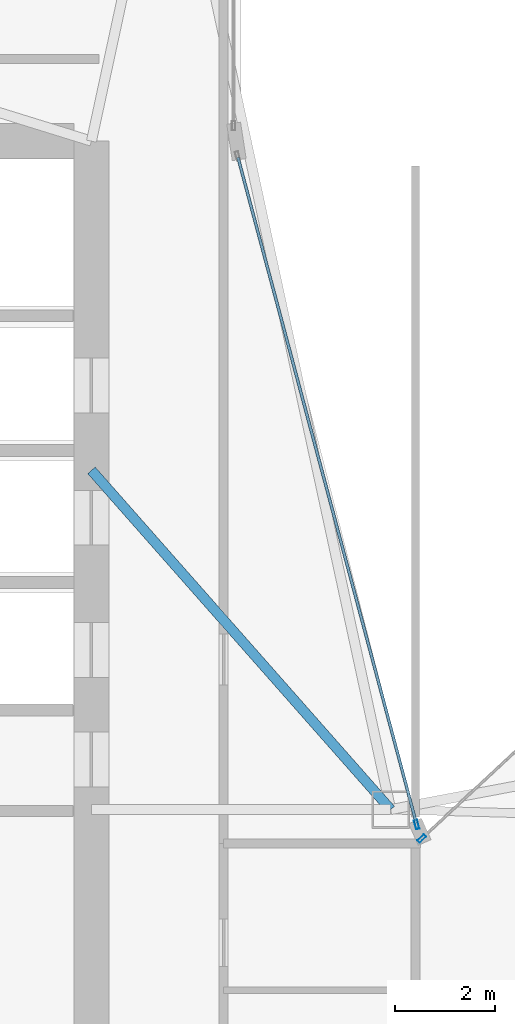
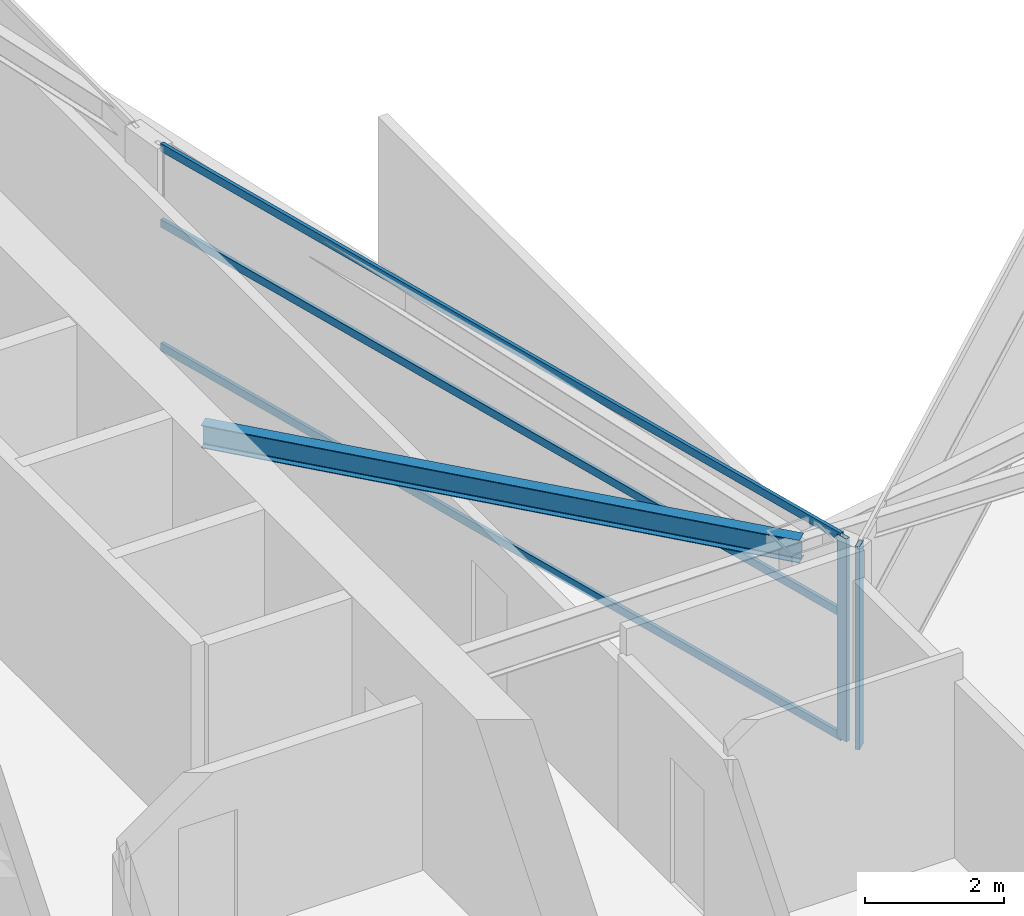
# One storey, part 10 of 28: 5 members, 1 beam, 2 elements without a shape of their own.
"""IFC4 building model written with IfcOpenShell, lengths in metres."""

from ifc_helpers import new_model, si_unit, direction, frame, origin, origin_2d, place, context, subcontext, project, spatial, hollow_rectangle, i_section, extrude, material, layer, layer_set, material_profile, profile_set, type_object, element, aggregate, save


model = new_model("IFC4")

# Units and contexts
model_context = context("Model", 3, precision=1e-05, world=origin(), true_north=direction((0.0, 1.0)))
body_context = subcontext(model_context, "Body", "Model", "MODEL_VIEW")
ifc_project = project(units=[si_unit("LENGTHUNIT", "METRE"), si_unit("AREAUNIT", "SQUARE_METRE"), si_unit("VOLUMEUNIT", "CUBIC_METRE"), si_unit("PLANEANGLEUNIT", "RADIAN"), si_unit("MASSUNIT", "GRAM", prefix="KILO")], contexts=[model_context])

# Site, building, storey
site_placement = place(None, origin())
site = spatial("IfcSite", under=ifc_project, at=site_placement, CompositionType="ELEMENT")
building_placement = place(site_placement, origin())
building = spatial("IfcBuilding", under=site, at=building_placement, Name="Calvorn Quay Hotel", CompositionType="ELEMENT")
storey_placement = place(building_placement, frame((0.0, 0.0, 219.300048828125)))
storey = spatial("IfcBuildingStorey", under=building, at=storey_placement, Name="L54", CompositionType="ELEMENT", Elevation=219.300048828125)

# Beam
ifc_material_1 = material(Name="Steel Q355B", Category="steel")
ifc_material_profile_1 = material_profile(ifc_material_1, i_section(OverallWidth=0.199951171875, OverallDepth=0.39990234375, WebThickness=0.008056640625, FlangeThickness=0.012939453125, FilletRadius=0.01611328125, at=origin_2d()), Name="HN400x200x8x13")
ifc_profile_set_1 = profile_set([ifc_material_profile_1], Name="Steel Q355B")
beam_type = type_object("IfcBeamType", Name="BM-JOIST-TYP", PredefinedType="JOIST", material=ifc_profile_set_1)
beam_placement = place(storey_placement, frame((15.0, 31.800048828125, 3.33984375), z_axis=(0.661618965899, -0.749840212287, 0.0), x_axis=(0.749840212287, 0.661618965899, 0.0)))
element("IfcBeam", 1, at=beam_placement, inside=storey, type_object=beam_type, Name="Beam BJ-L54-C1", PredefinedType="JOIST", context=body_context, shape_type="SweptSolid", body=[
    extrude(i_section(OverallWidth=0.199951171875, OverallDepth=0.39990234375, WebThickness=0.008056640625, FlangeThickness=0.012939453125, FilletRadius=0.01611328125, at=origin_2d()), origin(), (0.0, 0.0, 1.0), 9.068603515625),
])

# Curtain wall, member
ifc_material_2 = material(Name="Champagne Bronze Anodised Aluminium and Low-E Glass", Category="aluminium")
ifc_layer = layer(ifc_material_2, 0.219970703125)
ifc_layer_set = layer_set([ifc_layer], Name="CW-SYS-Z3")
curtain_wall_type = type_object("IfcCurtainWallType", Name="CW-SYS-Z3", PredefinedType="NOTDEFINED", material=ifc_layer_set)
curtain_wall_1_placement = place(storey_placement, origin())
curtain_wall_1 = element("IfcCurtainWall", 2, at=curtain_wall_1_placement, inside=storey, type_object=curtain_wall_type, Name="Inner Court Curtain Wall L54-NE1", PredefinedType="NOTDEFINED")
ifc_material_3 = material(Name="Champagne Bronze Anodised Aluminium 6063-T6", Category="aluminium")
ifc_material_profile_2 = material_profile(ifc_material_3, hollow_rectangle(XDim=0.068115234375, YDim=0.18505859375, WallThickness=0.00390625, at=origin_2d()), Name="ALU-M185x68x4")
ifc_profile_set_2 = profile_set([ifc_material_profile_2], Name="Champagne Bronze Anodised Aluminium 6063-T6")
member_type_1 = type_object("IfcMemberType", Name="CW-SYS-Z3-MUL", PredefinedType="MULLION", material=ifc_profile_set_2)
member_1_placement = place(storey_placement, frame((21.6220703125, 24.42041015625, 0.0), z_axis=(0.0, 0.0, 1.0), x_axis=(0.681603655102, -0.731721570922, 0.0)))
member_1 = element("IfcMember", 3, at=member_1_placement, type_object=member_type_1, Name="CW-L54-NE1 mullion 3", PredefinedType="MULLION", context=body_context, shape_type="SweptSolid", body=[
    extrude(hollow_rectangle(XDim=0.068115234375, YDim=0.18505859375, WallThickness=0.00390625, at=origin_2d()), origin(), (0.0, 0.0, 1.0), 3.56005859375),
])
aggregate(curtain_wall_1, [member_1])

# Curtain wall, members
curtain_wall_2_placement = place(storey_placement, origin())
curtain_wall_2 = element("IfcCurtainWall", 4, at=curtain_wall_2_placement, inside=storey, type_object=curtain_wall_type, Name="Inner Court Curtain Wall L54-IC1", PredefinedType="NOTDEFINED")
member_2_placement = place(storey_placement, frame((21.520263671875, 24.698974609375, 0.0), z_axis=(0.0, 0.0, 1.0), x_axis=(-0.96593652056, -0.25877913024, 0.0)))
member_2 = element("IfcMember", 5, at=member_2_placement, type_object=member_type_1, Name="CW-L54-IC1 mullion 1", PredefinedType="MULLION", context=body_context, shape_type="SweptSolid", body=[
    extrude(hollow_rectangle(XDim=0.068115234375, YDim=0.18505859375, WallThickness=0.00390625, at=origin_2d()), origin(), (0.0, 0.0, 1.0), 3.56005859375),
])
ifc_material_4 = material(Name="Champagne Bronze Anodised Aluminium 6063-T6", Category="aluminium")
ifc_material_profile_3 = material_profile(ifc_material_4, hollow_rectangle(XDim=0.05810546875, YDim=0.139892578125, WallThickness=0.003173828125, at=origin_2d()), Name="ALU-T140x58x3.2")
ifc_profile_set_3 = profile_set([ifc_material_profile_3], Name="Champagne Bronze Anodised Aluminium 6063-T6")
member_type_2 = type_object("IfcMemberType", Name="CW-SYS-Z3-TRN", PredefinedType="USERDEFINED", material=ifc_profile_set_3)
member_3_placement = place(storey_placement, frame((21.512451171875, 24.72802734375, 0.030029296875), z_axis=(-0.258781136883, 0.965935982969, 0.0), x_axis=(-0.965935982969, -0.258781136883, 0.0)))
member_3 = element("IfcMember", 6, at=member_3_placement, type_object=member_type_2, Name="CW-L54-IC1 transom 1.1", ObjectType="TRANSOM", PredefinedType="USERDEFINED", context=body_context, shape_type="SweptSolid", body=[
    extrude(hollow_rectangle(XDim=0.05810546875, YDim=0.139892578125, WallThickness=0.003173828125, at=origin_2d()), origin(), (0.0, 0.0, 1.0), 13.814453125),
])
member_4_placement = place(storey_placement, frame((21.512451171875, 24.72802734375, 2.199951171875), z_axis=(-0.258781136883, 0.965935982969, 0.0), x_axis=(-0.965935982969, -0.258781136883, 0.0)))
member_4 = element("IfcMember", 7, at=member_4_placement, type_object=member_type_2, Name="CW-L54-IC1 transom 1.2", ObjectType="TRANSOM", PredefinedType="USERDEFINED", context=body_context, shape_type="SweptSolid", body=[
    extrude(hollow_rectangle(XDim=0.05810546875, YDim=0.139892578125, WallThickness=0.003173828125, at=origin_2d()), origin(), (0.0, 0.0, 1.0), 13.814453125),
])
member_5_placement = place(storey_placement, frame((21.512451171875, 24.72802734375, 3.530029296875), z_axis=(-0.258781136883, 0.965935982969, 0.0), x_axis=(-0.965935982969, -0.258781136883, 0.0)))
member_5 = element("IfcMember", 8, at=member_5_placement, type_object=member_type_2, Name="CW-L54-IC1 transom 1.3", ObjectType="TRANSOM", PredefinedType="USERDEFINED", context=body_context, shape_type="SweptSolid", body=[
    extrude(hollow_rectangle(XDim=0.05810546875, YDim=0.139892578125, WallThickness=0.003173828125, at=origin_2d()), origin(), (0.0, 0.0, 1.0), 13.814453125),
])
aggregate(curtain_wall_2, [member_2, member_3, member_4, member_5])

save(model, "model.ifc")
